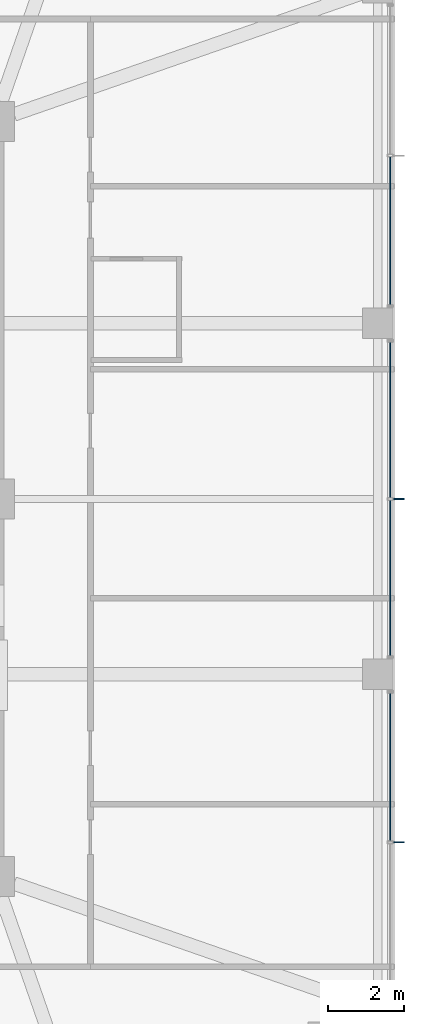
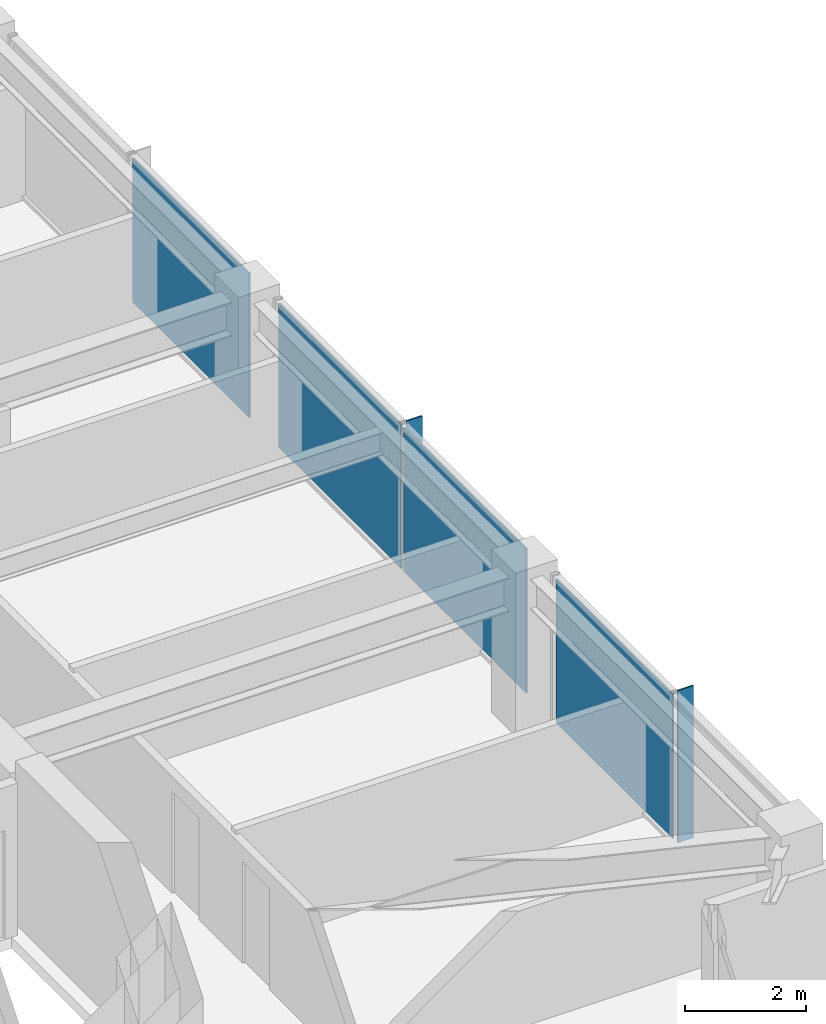
# One storey, part 27 of 36: 6 plates, 3 elements without a shape of their own.
"""IFC4 building model written with IfcOpenShell, lengths in metres."""

from ifc_helpers import new_model, si_unit, direction, frame, origin, origin_2d, place, context, subcontext, project, spatial, rectangle, extrude, material, layer, layer_set, type_object, element, aggregate, save


model = new_model("IFC4")

# Units and contexts
model_context = context("Model", 3, precision=1e-05, world=origin(), true_north=direction((0.0, 1.0)))
body_context = subcontext(model_context, "Body", "Model", "MODEL_VIEW")
ifc_project = project(units=[si_unit("LENGTHUNIT", "METRE"), si_unit("AREAUNIT", "SQUARE_METRE"), si_unit("VOLUMEUNIT", "CUBIC_METRE"), si_unit("PLANEANGLEUNIT", "RADIAN"), si_unit("MASSUNIT", "GRAM", prefix="KILO")], contexts=[model_context])

# Site, building, storey
site_placement = place(None, origin())
site = spatial("IfcSite", under=ifc_project, at=site_placement, CompositionType="ELEMENT")
building_placement = place(site_placement, origin())
building = spatial("IfcBuilding", under=site, at=building_placement, Name="Kolvaren Belvedere", CompositionType="ELEMENT")
storey_placement = place(building_placement, frame((0.0, 0.0, 193.199951171875)))
storey = spatial("IfcBuildingStorey", under=building, at=storey_placement, Name="L56", CompositionType="ELEMENT", Elevation=193.199951171875)

# Curtain wall, plate
ifc_material_1 = material(Name="Anodised pale-metal aluminium AA 6063-T6", Category="aluminium")
curtain_wall_type = type_object("IfcCurtainWallType", Name="CW-Z5-HIGH", PredefinedType="NOTDEFINED", material=ifc_material_1)
curtain_wall_1_placement = place(storey_placement, origin())
curtain_wall_1 = element("IfcCurtainWall", 1, at=curtain_wall_1_placement, inside=storey, type_object=curtain_wall_type, Name="L56 Unitised Curtain Wall FCW-L56-E-B1", PredefinedType="NOTDEFINED")
ifc_material_2 = material(Name="Low-iron triple insulated glass", Category="glass")
ifc_layer_1 = layer(ifc_material_2, 0.028076171875)
ifc_layer_set_1 = layer_set([ifc_layer_1], Name="Low-iron triple insulated glass")
plate_type_1 = type_object("IfcPlateType", Name="CW-PNL-VIS28", PredefinedType="CURTAIN_PANEL", material=ifc_layer_set_1)
plate_1_placement = place(storey_placement, frame((20.280029296875, 7.027587890625, 0.080078125), z_axis=(0.0, 0.0, 1.0), x_axis=(0.0, -1.0, 0.0)))
plate_1 = element("IfcPlate", 2, at=plate_1_placement, type_object=plate_type_1, Name="FCW-L56-E-B1 Vision Glazing Panel 2", PredefinedType="CURTAIN_PANEL", context=body_context, shape_type="SweptSolid", body=[
    extrude(rectangle(XDim=3.864990234375, YDim=0.028076171875, at=origin_2d()), origin(), (0.0, 0.0, 1.0), 2.919921875),
])
aggregate(curtain_wall_1, [plate_1])

# Curtain wall, plates
curtain_wall_2_placement = place(storey_placement, origin())
curtain_wall_2 = element("IfcCurtainWall", 3, at=curtain_wall_2_placement, inside=storey, type_object=curtain_wall_type, Name="L56 Unitised Curtain Wall FCW-L56-E-B2", PredefinedType="NOTDEFINED")
plate_2_placement = place(storey_placement, frame((20.280029296875, 2.072509765625, 0.080078125), z_axis=(0.0, 0.0, 1.0), x_axis=(0.0, -1.0, 0.0)))
plate_2 = element("IfcPlate", 4, at=plate_2_placement, type_object=plate_type_1, Name="FCW-L56-E-B2 Vision Glazing Panel 1", PredefinedType="CURTAIN_PANEL", context=body_context, shape_type="SweptSolid", body=[
    extrude(rectangle(XDim=4.06494140625, YDim=0.028076171875, at=origin_2d()), origin(), (0.0, 0.0, 1.0), 2.919921875),
])
plate_3_placement = place(storey_placement, frame((20.280029296875, -2.072509765625, 0.080078125), z_axis=(0.0, 0.0, 1.0), x_axis=(0.0, -1.0, 0.0)))
plate_3 = element("IfcPlate", 5, at=plate_3_placement, type_object=plate_type_1, Name="FCW-L56-E-B2 Vision Glazing Panel 2", PredefinedType="CURTAIN_PANEL", context=body_context, shape_type="SweptSolid", body=[
    extrude(rectangle(XDim=4.06494140625, YDim=0.028076171875, at=origin_2d()), origin(), (0.0, 0.0, 1.0), 2.919921875),
])
aggregate(curtain_wall_2, [plate_2, plate_3])

# Curtain wall, plate
curtain_wall_3_placement = place(storey_placement, origin())
curtain_wall_3 = element("IfcCurtainWall", 6, at=curtain_wall_3_placement, inside=storey, type_object=curtain_wall_type, Name="L56 Unitised Curtain Wall FCW-L56-E-B3", PredefinedType="NOTDEFINED")
plate_4_placement = place(storey_placement, frame((20.280029296875, -7.027587890625, 0.080078125), z_axis=(0.0, 0.0, 1.0), x_axis=(0.0, -1.0, 0.0)))
plate_4 = element("IfcPlate", 7, at=plate_4_placement, type_object=plate_type_1, Name="FCW-L56-E-B3 Vision Glazing Panel 1", PredefinedType="CURTAIN_PANEL", context=body_context, shape_type="SweptSolid", body=[
    extrude(rectangle(XDim=3.864990234375, YDim=0.028076171875, at=origin_2d()), origin(), (0.0, 0.0, 1.0), 2.919921875),
])
aggregate(curtain_wall_3, [plate_4])

# Plates
ifc_material_3 = material(Name="Anodised pale-metal aluminium AA 6063-T6", Category="aluminium")
ifc_layer_2 = layer(ifc_material_3, 0.030029296875)
ifc_layer_set_2 = layer_set([ifc_layer_2], Name="Anodised pale-metal aluminium AA 6063-T6")
plate_type_2 = type_object("IfcPlateType", Name="FIN-VERT-300", PredefinedType="USERDEFINED", material=ifc_layer_set_2)
for number, where, z_axis, x_axis, name in (
    (8, (20.489990234375, 0.0, 0.0), (0.0, 0.0, 1.0), (1.0, 0.0, 0.0), "L56 Pale-Metal Vertical Shading Fin FCW-L56-E-B2-1"),
    (9, (20.489990234375, -9.0, 0.0), (0.0, 0.0, 1.0), (1.0, 0.0, 0.0), "L56 Pale-Metal Vertical Shading Fin FCW-L56-E-B3-1"),
):
    element("IfcPlate", number, at=place(storey_placement, frame(where, z_axis=z_axis, x_axis=x_axis)), inside=storey, type_object=plate_type_2, Name=name, ObjectType="VERTICAL FIN", PredefinedType="USERDEFINED", context=body_context, shape_type="SweptSolid", body=[
        extrude(rectangle(XDim=0.300048828125, YDim=0.030029296875, at=origin_2d()), origin(), (0.0, 0.0, 1.0), 3.080078125),
    ])

save(model, "model.ifc")
